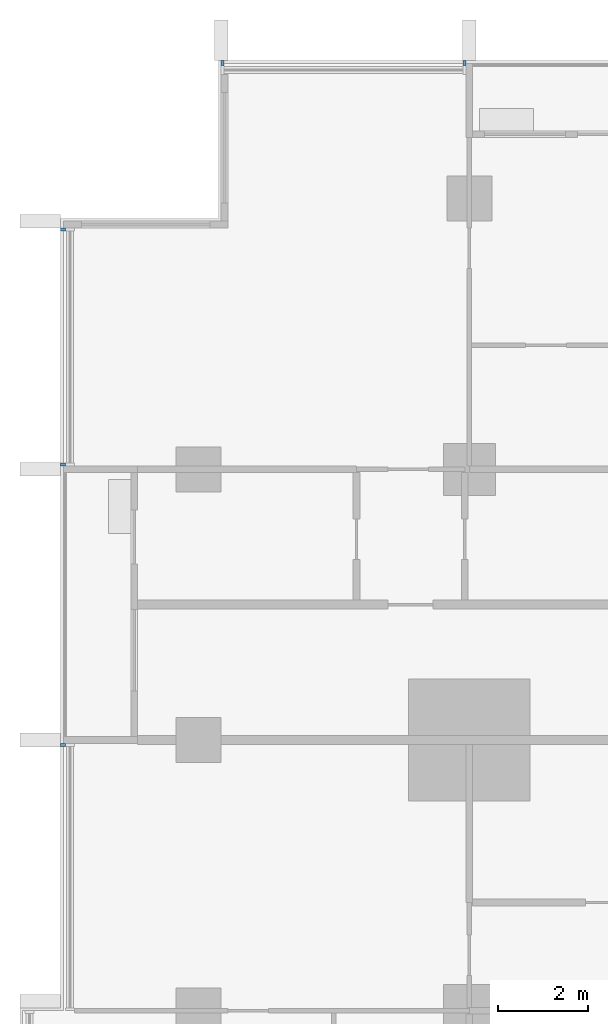
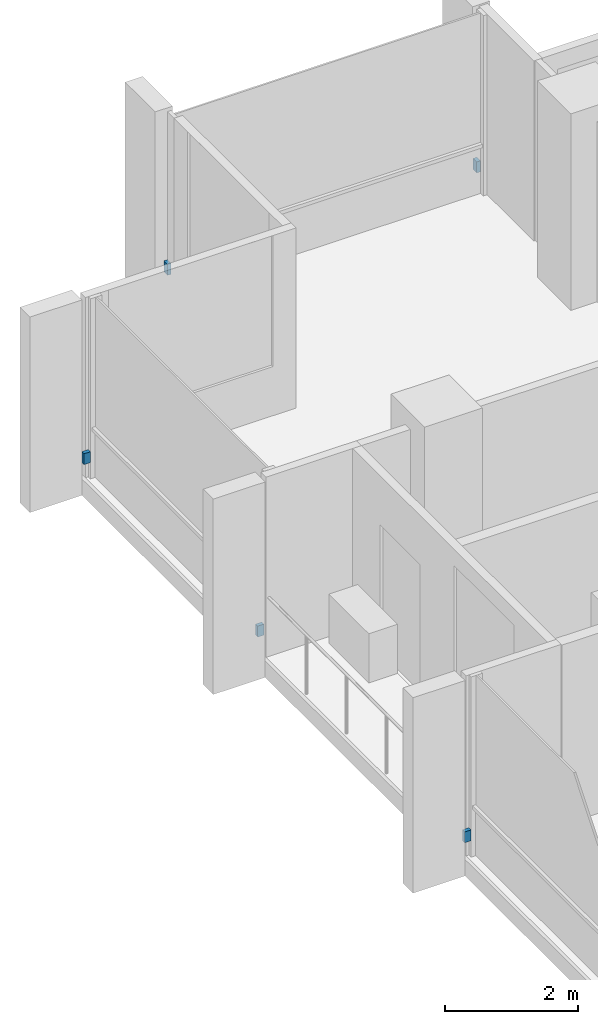
# One storey, part 16 of 18: 5 discrete accessories.
"""IFC4 building model written with IfcOpenShell, lengths in metres."""

import ifcopenshell
import ifcopenshell.guid

model = None  # the IFC model being written
_history = None  # IfcOwnerHistory: only IFC2X3 demands one
_inside = {}  # id of a spatial element -> (the spatial element, [elements in it])
_under = {}  # id of a project, library or spatial element -> (it, [spatial elements below it])
_declared = {}  # id of a project -> (the project, [libraries it declares])
_typed = {}  # id of a type object -> (the type object, [elements of that type])
_made_of = {}  # id of a material, layer set ... -> (it, [elements and type objects made of it])


def new_model(schema):
    """Start an empty IFC model of exactly this schema.

    Asked for "IFC4X3", IfcOpenShell would pick the latest addendum, in which some entities
    have other attributes; the version numbers below select the first issue.
    IFC2X3 requires an IfcOwnerHistory on every rooted entity: one is made here for all.
    """
    global model, _history
    if schema == "IFC4X3":
        model = ifcopenshell.file(schema_version=(4, 3, 0, 0))
    else:
        model = ifcopenshell.file(schema=schema)
    _inside.clear()
    _under.clear()
    _declared.clear()
    _typed.clear()
    _made_of.clear()
    _history = None
    if model.schema == "IFC2X3":
        org = make("IfcOrganization", Name="unknown")
        user = make(
            "IfcPersonAndOrganization",
            ThePerson=make("IfcPerson", FamilyName="unknown"),
            TheOrganization=org,
        )
        app = make(
            "IfcApplication",
            ApplicationDeveloper=org,
            Version="unknown",
            ApplicationFullName="unknown",
            ApplicationIdentifier="unknown",
        )
        _history = make(
            "IfcOwnerHistory",
            OwningUser=user,
            OwningApplication=app,
            ChangeAction="ADDED",
            CreationDate=0,
        )
    return model


def make(cls, **values):
    """One entity of the class cls with the attributes given. An attribute that is None is left unset."""
    return model.create_entity(
        cls, **{name: value for name, value in values.items() if value is not None}
    )


def rooted(cls, **values):
    """An entity with a GlobalId (a new one), such as an element, a storey or a relation."""
    return make(cls, GlobalId=ifcopenshell.guid.new(), OwnerHistory=_history, **values)


def si_unit(unit_type, name, prefix=None):
    """IfcSIUnit, for example si_unit("LENGTHUNIT", "METRE", prefix="MILLI")."""
    return make("IfcSIUnit", UnitType=unit_type, Prefix=prefix, Name=name)


def assignment(units):
    """IfcUnitAssignment: the units of a project."""
    return None if units is None else make("IfcUnitAssignment", Units=units)


def point(xyz):
    """IfcCartesianPoint."""
    return None if xyz is None else make("IfcCartesianPoint", Coordinates=xyz)


def direction(xyz):
    """IfcDirection."""
    return None if xyz is None else make("IfcDirection", DirectionRatios=xyz)


def frame(location, z_axis=None, x_axis=None):
    """IfcAxis2Placement3D, a coordinate frame: its origin and axes. An axis left out is left unset."""
    return make(
        "IfcAxis2Placement3D",
        Location=point(location),
        Axis=direction(z_axis),
        RefDirection=direction(x_axis),
    )


def frame_2d(location, x_axis=None):
    """IfcAxis2Placement2D, a coordinate frame in the plane: its origin and x axis."""
    return make(
        "IfcAxis2Placement2D", Location=point(location), RefDirection=direction(x_axis)
    )


def origin():
    """The frame at (0, 0, 0) with its axes left unset."""
    return frame((0.0, 0.0, 0.0))


def origin_2d():
    """The frame at (0, 0) in the plane with its x axis left unset."""
    return frame_2d((0.0, 0.0))


def place(relative_to, where):
    """IfcLocalPlacement: puts the frame where relative to a parent placement (None: the world)."""
    return make(
        "IfcLocalPlacement", PlacementRelTo=relative_to, RelativePlacement=where
    )


def context(
    kind, dimensions, precision=None, world=None, true_north=None, identifier=None
):
    """IfcGeometricRepresentationContext, for example the 3D "Model" context."""
    return make(
        "IfcGeometricRepresentationContext",
        ContextIdentifier=identifier,
        ContextType=kind,
        CoordinateSpaceDimension=dimensions,
        Precision=precision,
        WorldCoordinateSystem=world,
        TrueNorth=true_north,
    )


def subcontext(parent, identifier, kind, view, scale=None):
    """IfcGeometricRepresentationSubContext, for example "Body" below "Model"."""
    return make(
        "IfcGeometricRepresentationSubContext",
        ContextIdentifier=identifier,
        ContextType=kind,
        ParentContext=parent,
        TargetScale=scale,
        TargetView=view,
    )


def project(units=None, contexts=None):
    """IfcProject with its units and contexts."""
    return rooted(
        "IfcProject",
        Name="project",
        RepresentationContexts=contexts,
        UnitsInContext=assignment(units),
    )


def spatial(cls, under=None, at=None, **own):
    """A site, building, storey or space (cls), placed at a placement, below another one or the project."""
    s = rooted(cls, ObjectPlacement=at, **own)
    if under is not None:
        _under.setdefault(under.id(), (under, []))[1].append(s)
    return s


def profile(cls, at=None, kind="AREA", **sizes):
    """A parametric profile (cls). Its sizes go by their IFC names, for example OverallWidth=200.0."""
    return make(cls, ProfileType=kind, Position=at, **sizes)


def rectangle(**sizes):
    """IfcRectangleProfileDef."""
    return profile("IfcRectangleProfileDef", **sizes)


def extrude(swept, where, along, depth):
    """IfcExtrudedAreaSolid: the profile swept, set in the frame where, extruded along a direction by depth."""
    return make(
        "IfcExtrudedAreaSolid",
        SweptArea=swept,
        Position=where,
        ExtrudedDirection=direction(along),
        Depth=depth,
    )


def shape(context_of_items, identifier, shape_type, items):
    """IfcShapeRepresentation: the items that make up one representation, for example the "Body"."""
    return make(
        "IfcShapeRepresentation",
        ContextOfItems=context_of_items,
        RepresentationIdentifier=identifier,
        RepresentationType=shape_type,
        Items=items,
    )


def material(Name=None, Category=None):
    """IfcMaterial."""
    return make("IfcMaterial", Name=Name, Category=Category)


def made_of(thing, what):
    """Note that an element or type object is made of a material, layer set ...; save() writes the relation."""
    if what is not None:
        _made_of.setdefault(what.id(), (what, []))[1].append(thing)
    return thing


def type_object(cls, material=None, **own):
    """A type object (cls), such as IfcWallType, which elements share."""
    return made_of(rooted(cls, **own), material)


def element(
    cls,
    number,
    at=None,
    inside=None,
    cuts=None,
    type_object=None,
    material=None,
    context=None,
    identifier="Body",
    shape_type=None,
    held_by="IfcProductDefinitionShape",
    body=None,
    shapes=None,
    **own,
):
    """One element of the class cls, such as IfcWall. Its Tag is "e" and its number.

    at: its placement. inside: the storey or other place that contains it. cuts: it is an
    opening in that element (IfcRelVoidsElement). A single representation is given by context,
    identifier, shape_type and body (its items); several are given by shapes. held_by: the class
    of the entity that holds the representations. save() writes the other relations.
    """
    e = rooted(cls, Tag="e%d" % number, ObjectPlacement=at, **own)
    if body is not None:
        shapes = [shape(context, identifier, shape_type, body)]
    if shapes is not None:
        e.Representation = make(held_by, Representations=shapes)
    if inside is not None:
        _inside.setdefault(inside.id(), (inside, []))[1].append(e)
    if cuts is not None:
        rooted(
            "IfcRelVoidsElement", RelatingBuildingElement=cuts, RelatedOpeningElement=e
        )
    if type_object is not None:
        _typed.setdefault(type_object.id(), (type_object, []))[1].append(e)
    return made_of(e, material)


def aggregate(whole, parts):
    """IfcRelAggregates: a whole, such as a stair, and the parts it consists of."""
    return rooted("IfcRelAggregates", RelatingObject=whole, RelatedObjects=parts)


def save(model, path):
    """Write the relations noted so far, then the file.

    IfcRelAggregates (storeys below a building ...), IfcRelContainedInSpatialStructure (elements
    in a storey), IfcRelDefinesByType, IfcRelAssociatesMaterial and IfcRelDeclares: one each for
    every whole, place, type object, material and project.
    """
    for whole, parts in _under.values():
        aggregate(whole, parts)
    for where, things in _inside.values():
        rooted(
            "IfcRelContainedInSpatialStructure",
            RelatedElements=things,
            RelatingStructure=where,
        )
    for kind, things in _typed.values():
        rooted("IfcRelDefinesByType", RelatedObjects=things, RelatingType=kind)
    for what, things in _made_of.values():
        rooted("IfcRelAssociatesMaterial", RelatedObjects=things, RelatingMaterial=what)
    for by, libraries in _declared.values():
        rooted("IfcRelDeclares", RelatingContext=by, RelatedDefinitions=libraries)
    model.write(path)


model = new_model("IFC4")

# Units and contexts
model_context = context("Model", 3, precision=1e-05, world=origin(), true_north=direction((0.0, 1.0)))
body_context = subcontext(model_context, "Body", "Model", "MODEL_VIEW")
ifc_project = project(units=[si_unit("LENGTHUNIT", "METRE"), si_unit("AREAUNIT", "SQUARE_METRE"), si_unit("VOLUMEUNIT", "CUBIC_METRE"), si_unit("PLANEANGLEUNIT", "RADIAN"), si_unit("MASSUNIT", "GRAM", prefix="KILO")], contexts=[model_context])

# Site, building, storey
site_placement = place(None, origin())
site = spatial("IfcSite", under=ifc_project, at=site_placement, CompositionType="ELEMENT")
building_placement = place(site_placement, origin())
building = spatial("IfcBuilding", under=site, at=building_placement, Name="Finial Court Residences", CompositionType="ELEMENT")
storey_placement = place(building_placement, frame((0.0, 0.0, 84.699951171875)))
storey = spatial("IfcBuildingStorey", under=building, at=storey_placement, Name="L20", CompositionType="ELEMENT", Elevation=84.699951171875)

# Discrete accessories
ifc_material = material(Name="Stainless steel 316", Category="steel")
discrete_accessory_type = type_object("IfcDiscreteAccessoryType", Name="Fin bracket, stainless steel 65 x 110 x 200", PredefinedType="BRACKET", material=ifc_material)
for number, where, z_axis, x_axis, name in (
    (1, (-21.967529296875, 22.5048828125, 0.30029296875), (0.0, 0.0, 1.0), (1.0, 0.0, 0.0), "E-L20-FIN-N1-BRK"),
    (2, (-16.607421875, 22.5048828125, 0.30029296875), (0.0, 0.0, 1.0), (1.0, 0.0, 0.0), "E-L20-FIN-N2-BRK"),
):
    element("IfcDiscreteAccessory", number, at=place(storey_placement, frame(where, z_axis=z_axis, x_axis=x_axis)), inside=storey, type_object=discrete_accessory_type, Name=name, PredefinedType="BRACKET", context=body_context, shape_type="SweptSolid", body=[
        extrude(rectangle(XDim=0.06494140625, YDim=0.110107421875, at=origin_2d()), origin(), (0.0, 0.0, 1.0), 0.199951171875),
    ])
for number, where, z_axis, x_axis, name in (
    (3, (-25.5048828125, 7.392578125, 0.30029296875), (0.0, 0.0, 1.0), (1.0, 0.0, 0.0), "E-L20-FIN-W30-BRK"),
    (4, (-25.5048828125, 13.607421875, 0.30029296875), (0.0, 0.0, 1.0), (1.0, 0.0, 0.0), "E-L20-FIN-W31-BRK"),
    (5, (-25.5048828125, 18.8173828125, 0.30029296875), (0.0, 0.0, 1.0), (1.0, 0.0, 0.0), "E-L20-FIN-W32-BRK"),
):
    element("IfcDiscreteAccessory", number, at=place(storey_placement, frame(where, z_axis=z_axis, x_axis=x_axis)), inside=storey, type_object=discrete_accessory_type, Name=name, PredefinedType="BRACKET", context=body_context, shape_type="SweptSolid", body=[
        extrude(rectangle(XDim=0.110107421875, YDim=0.06494140625, at=origin_2d()), origin(), (0.0, 0.0, 1.0), 0.199951171875),
    ])

save(model, "model.ifc")
